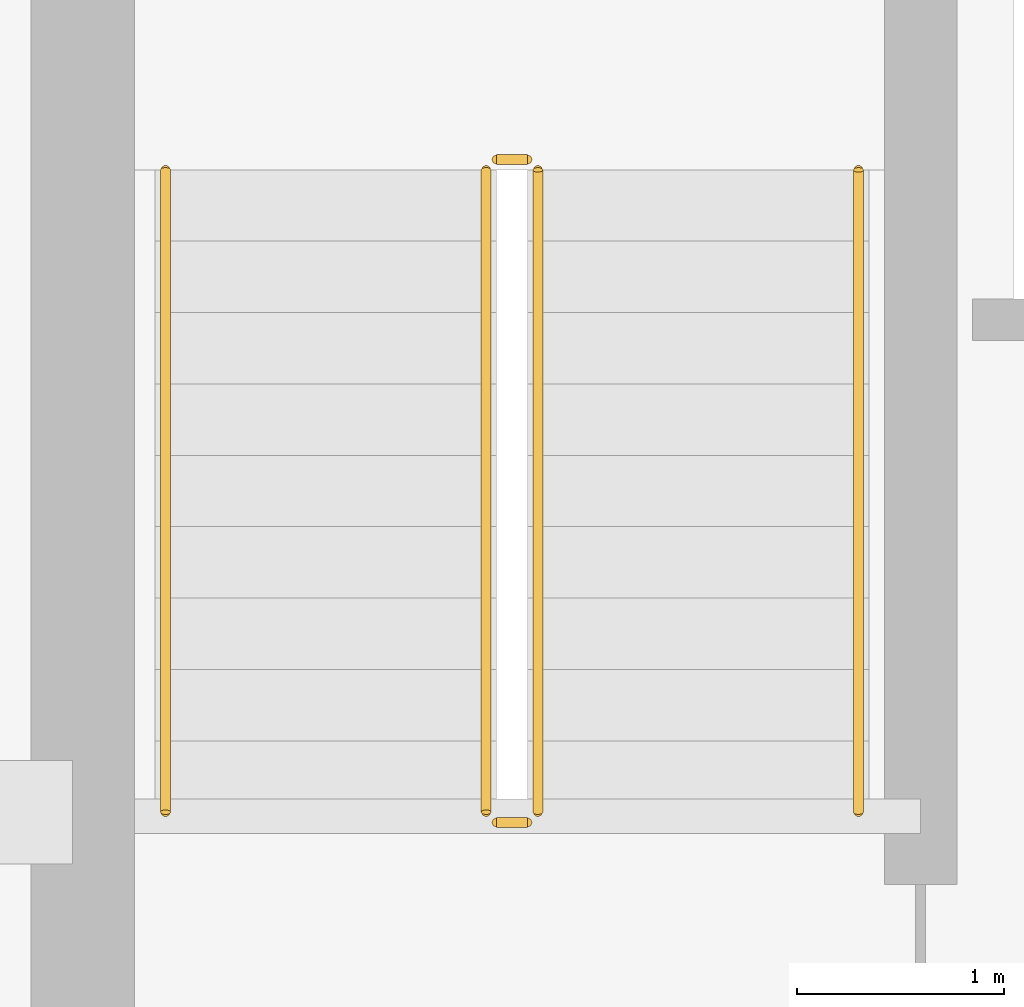
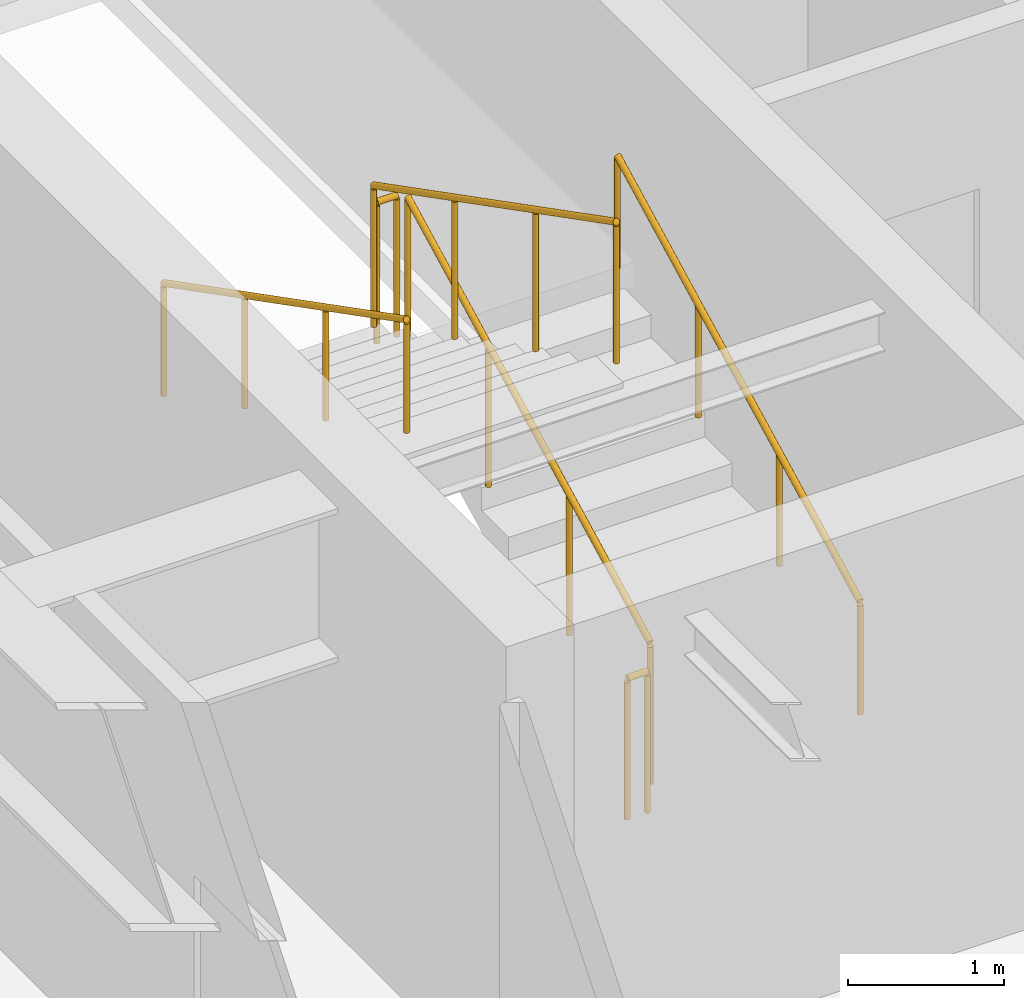
# One storey, part 10 of 12: 6 railings.
"""IFC4 building model written with IfcOpenShell, lengths in metres."""

from ifc_helpers import new_model, si_unit, direction, frame, origin, origin_2d, place, context, subcontext, project, spatial, circle, extrude, material, type_object, element, save


model = new_model("IFC4")

# Units and contexts
model_context = context("Model", 3, precision=1e-05, world=origin(), true_north=direction((0.0, 1.0)))
body_context = subcontext(model_context, "Body", "Model", "MODEL_VIEW")
ifc_project = project(units=[si_unit("LENGTHUNIT", "METRE"), si_unit("AREAUNIT", "SQUARE_METRE"), si_unit("VOLUMEUNIT", "CUBIC_METRE"), si_unit("PLANEANGLEUNIT", "RADIAN"), si_unit("MASSUNIT", "GRAM", prefix="KILO")], contexts=[model_context])

# Site, building, storey
site_placement = place(None, origin())
site = spatial("IfcSite", under=ifc_project, at=site_placement, CompositionType="ELEMENT")
building_placement = place(site_placement, origin())
building = spatial("IfcBuilding", under=site, at=building_placement, Name="Tolvann Quenvar Hotel", CompositionType="ELEMENT")
storey_placement = place(building_placement, frame((0.0, 0.0, 275.050048828125)))
storey = spatial("IfcBuildingStorey", under=building, at=storey_placement, Name="L73", CompositionType="ELEMENT", Elevation=275.050048828125)

# Railings
ifc_material = material(Name="Brushed 316 stainless steel balustrade and handrail", Category="steel")
railing_type_1 = type_object("IfcRailingType", Name="GUARDRAIL", PredefinedType="GUARDRAIL", material=ifc_material)
railing_1_placement = place(storey_placement, frame((12.449951171875, 34.0, 0.177490234375)))
element("IfcRailing", 1, at=railing_1_placement, inside=storey, type_object=railing_type_1, Name="L73 ST-C1 stair guard 1", PredefinedType="GUARDRAIL", context=body_context, shape_type="SweptSolid", body=[
    extrude(circle(Radius=0.02392578125, at=origin_2d()), frame((0.0, 0.0, 1.09619140625), z_axis=(0.0, 0.889221982265, 0.45747597342), x_axis=(-1.0, 0.0, 0.0)), (0.0, 0.0, 1.0), 3.49169921875),
    extrude(circle(Radius=0.02099609375, at=origin_2d()), origin(), (0.0, 0.0, 1.0), 1.072021484375),
    extrude(circle(Radius=0.02099609375, at=origin_2d()), frame((0.0, 1.034912109375, 0.532470703125)), (0.0, 0.0, 1.0), 1.072021484375),
    extrude(circle(Radius=0.02099609375, at=origin_2d()), frame((0.0, 2.070068359375, 1.06494140625)), (0.0, 0.0, 1.0), 1.072021484375),
    extrude(circle(Radius=0.02099609375, at=origin_2d()), frame((0.0, 3.10498046875, 1.597412109375)), (0.0, 0.0, 1.0), 1.072021484375),
])
railing_2_placement = place(storey_placement, frame((12.39990234375, 37.155029296875, 1.77490234375)))
element("IfcRailing", 2, at=railing_2_placement, inside=storey, type_object=railing_type_1, Name="L73 ST-C1 stair guard 2", PredefinedType="GUARDRAIL", context=body_context, shape_type="SweptSolid", body=[
    extrude(circle(Radius=0.02392578125, at=origin_2d()), frame((0.0, 0.0, 1.09619140625), z_axis=(-1.0, 0.0, 0.0), x_axis=(0.0, -1.0, 0.0)), (0.0, 0.0, 1.0), 0.14990234375),
    extrude(circle(Radius=0.02099609375, at=origin_2d()), origin(), (0.0, 0.0, 1.0), 1.072021484375),
    extrude(circle(Radius=0.02099609375, at=origin_2d()), frame((-0.14990234375, 0.0, 0.0)), (0.0, 0.0, 1.0), 1.072021484375),
])
railing_3_placement = place(storey_placement, frame((12.199951171875, 37.10498046875, 1.952392578125)))
element("IfcRailing", 3, at=railing_3_placement, inside=storey, type_object=railing_type_1, Name="L73 ST-C1 stair guard 3", PredefinedType="GUARDRAIL", context=body_context, shape_type="SweptSolid", body=[
    extrude(circle(Radius=0.02392578125, at=origin_2d()), frame((0.0, 0.0, 1.09619140625), z_axis=(0.0, -0.88919353882, 0.457531256332), x_axis=(1.0, 0.0, 0.0)), (0.0, 0.0, 1.0), 3.491943359375),
    extrude(circle(Radius=0.02099609375, at=origin_2d()), origin(), (0.0, 0.0, 1.0), 1.072021484375),
    extrude(circle(Radius=0.02099609375, at=origin_2d()), frame((0.0, -1.034912109375, 0.532470703125)), (0.0, 0.0, 1.0), 1.072021484375),
    extrude(circle(Radius=0.02099609375, at=origin_2d()), frame((0.0, -2.070068359375, 1.065185546875)), (0.0, 0.0, 1.0), 1.072021484375),
    extrude(circle(Radius=0.02099609375, at=origin_2d()), frame((0.0, -3.10498046875, 1.59765625)), (0.0, 0.0, 1.0), 1.072021484375),
])
railing_4_placement = place(storey_placement, frame((12.39990234375, 33.949951171875, 0.0)))
element("IfcRailing", 4, at=railing_4_placement, inside=storey, type_object=railing_type_1, Name="L73 ST-C1 stair guard 4", PredefinedType="GUARDRAIL", context=body_context, shape_type="SweptSolid", body=[
    extrude(circle(Radius=0.02392578125, at=origin_2d()), frame((0.0, 0.0, 1.09619140625), z_axis=(-1.0, 0.0, 0.0), x_axis=(0.0, -1.0, 0.0)), (0.0, 0.0, 1.0), 0.14990234375),
    extrude(circle(Radius=0.02099609375, at=origin_2d()), origin(), (0.0, 0.0, 1.0), 1.072021484375),
    extrude(circle(Radius=0.02099609375, at=origin_2d()), frame((-0.14990234375, 0.0, 0.0)), (0.0, 0.0, 1.0), 1.072021484375),
])
railing_type_2 = type_object("IfcRailingType", Name="HANDRAIL", PredefinedType="HANDRAIL", material=ifc_material)
railing_5_placement = place(storey_placement, frame((14.0, 34.0, 0.177490234375)))
element("IfcRailing", 5, at=railing_5_placement, inside=storey, type_object=railing_type_2, Name="L73 ST-C1 stair handrail 1", PredefinedType="HANDRAIL", context=body_context, shape_type="SweptSolid", body=[
    extrude(circle(Radius=0.02392578125, at=origin_2d()), frame((0.0, 0.0, 0.8759765625), z_axis=(0.0, 0.889221982265, 0.45747597342), x_axis=(-1.0, 0.0, 0.0)), (0.0, 0.0, 1.0), 3.49169921875),
    extrude(circle(Radius=0.02099609375, at=origin_2d()), origin(), (0.0, 0.0, 1.0), 0.851806640625),
    extrude(circle(Radius=0.02099609375, at=origin_2d()), frame((0.0, 1.034912109375, 0.532470703125)), (0.0, 0.0, 1.0), 0.851806640625),
    extrude(circle(Radius=0.02099609375, at=origin_2d()), frame((0.0, 2.070068359375, 1.06494140625)), (0.0, 0.0, 1.0), 0.851806640625),
    extrude(circle(Radius=0.02099609375, at=origin_2d()), frame((0.0, 3.10498046875, 1.597412109375)), (0.0, 0.0, 1.0), 0.851806640625),
])
railing_6_placement = place(storey_placement, frame((10.64990234375, 37.10498046875, 1.952392578125)))
element("IfcRailing", 6, at=railing_6_placement, inside=storey, type_object=railing_type_2, Name="L73 ST-C1 stair handrail 2", PredefinedType="HANDRAIL", context=body_context, shape_type="SweptSolid", body=[
    extrude(circle(Radius=0.02392578125, at=origin_2d()), frame((0.0, 0.0, 0.8759765625), z_axis=(0.0, -0.88919353882, 0.457531256332), x_axis=(1.0, 0.0, 0.0)), (0.0, 0.0, 1.0), 3.491943359375),
    extrude(circle(Radius=0.02099609375, at=origin_2d()), origin(), (0.0, 0.0, 1.0), 0.851806640625),
    extrude(circle(Radius=0.02099609375, at=origin_2d()), frame((0.0, -1.034912109375, 0.532470703125)), (0.0, 0.0, 1.0), 0.851806640625),
    extrude(circle(Radius=0.02099609375, at=origin_2d()), frame((0.0, -2.070068359375, 1.065185546875)), (0.0, 0.0, 1.0), 0.851806640625),
    extrude(circle(Radius=0.02099609375, at=origin_2d()), frame((0.0, -3.10498046875, 1.59765625)), (0.0, 0.0, 1.0), 0.851806640625),
])

save(model, "model.ifc")
